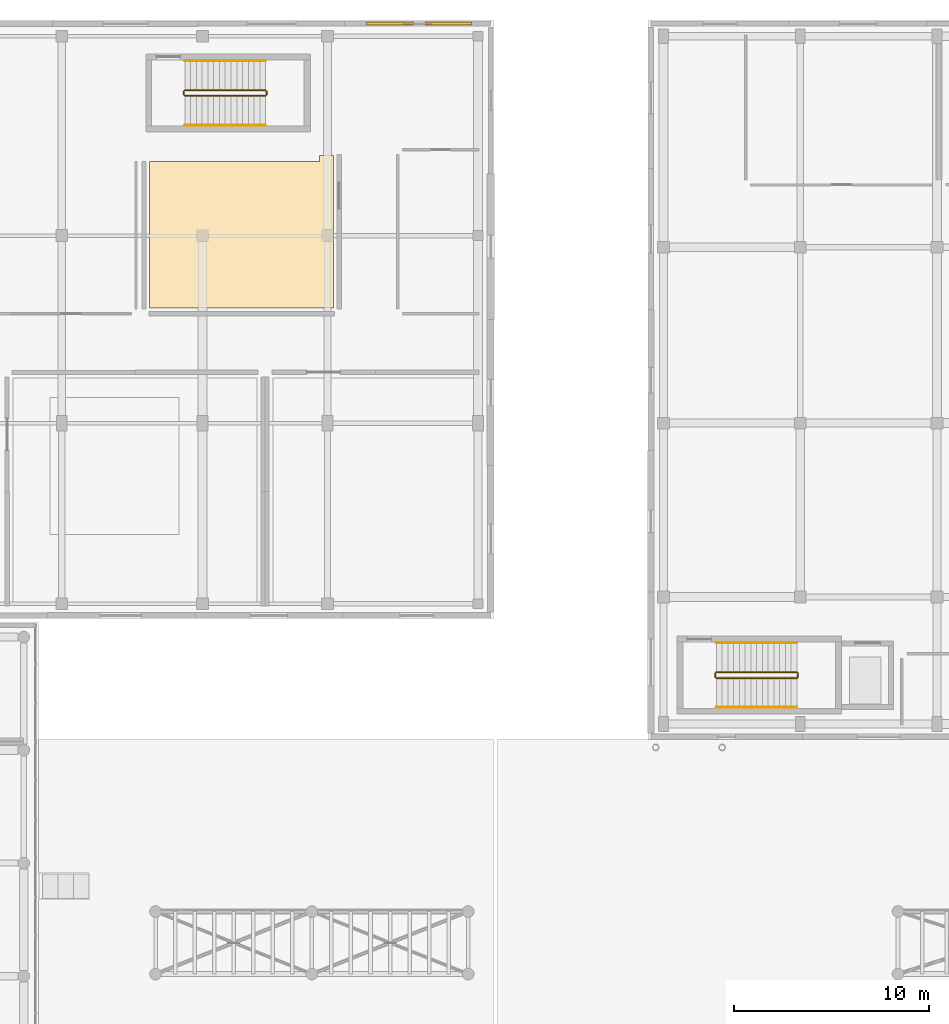
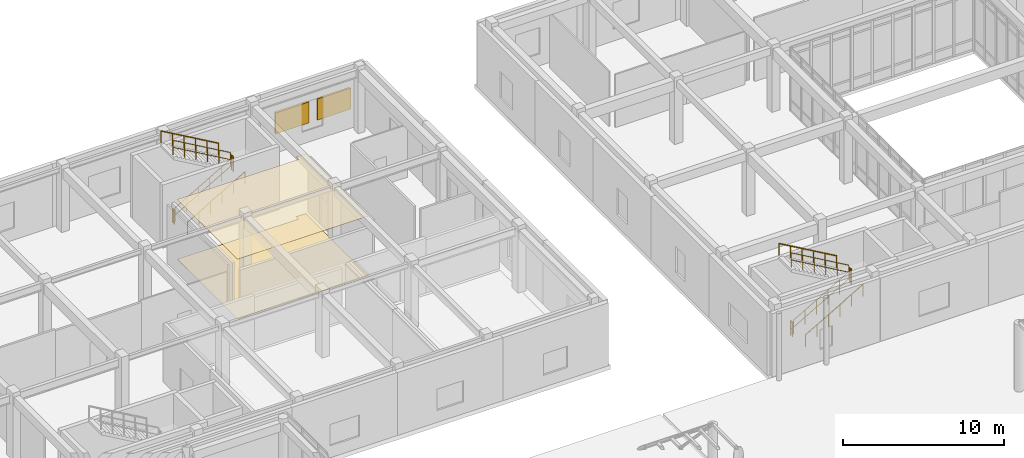
# One storey, part 118 of 121: 12 railings, 2 coverings, 2 shading devices.
"""IFC4 building model written with IfcOpenShell, lengths in metres."""

from ifc_helpers import new_model, si_unit, direction, frame, origin, origin_2d, place, context, subcontext, project, spatial, polyline, rectangle, circle, outline, extrude, material, layer, layer_set, type_object, element, save


model = new_model("IFC4")

# Units and contexts
model_context = context("Model", 3, precision=1e-05, world=origin(), true_north=direction((0.0, 1.0)))
body_context = subcontext(model_context, "Body", "Model", "MODEL_VIEW")
ifc_project = project(units=[si_unit("LENGTHUNIT", "METRE"), si_unit("AREAUNIT", "SQUARE_METRE"), si_unit("VOLUMEUNIT", "CUBIC_METRE"), si_unit("PLANEANGLEUNIT", "RADIAN"), si_unit("MASSUNIT", "GRAM", prefix="KILO")], contexts=[model_context])

# Site, building, storey
site_placement = place(None, origin())
site = spatial("IfcSite", under=ifc_project, at=site_placement, CompositionType="ELEMENT")
building_placement = place(site_placement, origin())
building = spatial("IfcBuilding", under=site, at=building_placement, Name="Valcora Specialist Clinic", CompositionType="ELEMENT")
storey_placement = place(building_placement, origin())
storey = spatial("IfcBuildingStorey", under=building, at=storey_placement, Name="L00", CompositionType="ELEMENT", Elevation=0.0)

# Coverings
ifc_material_1 = material(Name="Acoustic Mineral Ceiling Tile")
ifc_layer_1 = layer(ifc_material_1, 0.02001953125)
ifc_layer_set_1 = layer_set([ifc_layer_1], Name="Acoustic Mineral Ceiling Tile")
covering_type_1 = type_object("IfcCoveringType", Name="TY-CV-CLG020", PredefinedType="CEILING", material=ifc_layer_set_1)
covering_1_placement = place(storey_placement, frame((0.0, 0.0, 4.530029296875)))
element("IfcCovering", 1, at=covering_1_placement, inside=storey, type_object=covering_type_1, Name="Acoustic ceiling tile 4", PredefinedType="CEILING", context=body_context, shape_type="SweptSolid", body=[
    extrude(outline(polyline([(45.10009765625, 103.89990234375), (45.10009765625, 96.10009765625), (35.699951171875, 96.10009765625), (35.699951171875, 103.60009765625), (44.39990234375, 103.60009765625), (44.39990234375, 103.89990234375), (45.10009765625, 103.89990234375)])), origin(), (0.0, 0.0, 1.0), 0.02001953125),
])
ifc_material_2 = material(Name="Antimicrobial Vinyl Clinical Flooring")
ifc_layer_2 = layer(ifc_material_2, 0.008056640625)
ifc_layer_set_2 = layer_set([ifc_layer_2], Name="Antimicrobial Vinyl Clinical Flooring")
covering_type_2 = type_object("IfcCoveringType", Name="TY-CV-FLR008", PredefinedType="FLOORING", material=ifc_layer_set_2)
covering_2_placement = place(storey_placement, origin())
element("IfcCovering", 2, at=covering_2_placement, inside=storey, type_object=covering_type_2, Name="Antimicrobial clinical flooring 4", PredefinedType="FLOORING", context=body_context, shape_type="SweptSolid", body=[
    extrude(outline(polyline([(45.10009765625, 103.89990234375), (45.10009765625, 96.10009765625), (35.699951171875, 96.10009765625), (35.699951171875, 103.60009765625), (44.39990234375, 103.60009765625), (44.39990234375, 103.89990234375), (45.10009765625, 103.89990234375)])), origin(), (0.0, 0.0, 1.0), 0.008056640625),
])

# Railings
ifc_material_3 = material(Name="Stainless Steel AISI 316", Category="steel")
railing_type_1 = type_object("IfcRailingType", Name="TY-RL-GRD112", PredefinedType="GUARDRAIL", material=ifc_material_3)
railing_1_placement = place(storey_placement, frame((37.5, 106.949951171875, 0.169921875)))
element("IfcRailing", 3, at=railing_1_placement, inside=storey, type_object=railing_type_1, Name="L00 ST-V2B stair guard 1", PredefinedType="GUARDRAIL", context=body_context, shape_type="SweptSolid", body=[
    extrude(circle(Radius=0.02392578125, at=origin_2d()), frame((0.0, 0.0, 1.09619140625), z_axis=(0.866412313535, 0.0, 0.499329253053), x_axis=(0.0, 1.0, 0.0)), (0.0, 0.0, 1.0), 4.7666015625),
    extrude(circle(Radius=0.02392578125, at=origin_2d()), frame((0.0, 0.0, 0.56005859375), z_axis=(0.866412313535, 0.0, 0.499329253053), x_axis=(0.0, 1.0, 0.0)), (0.0, 0.0, 1.0), 4.7666015625),
    extrude(circle(Radius=0.02099609375, at=origin_2d()), origin(), (0.0, 0.0, 1.0), 1.072021484375),
    extrude(circle(Radius=0.02099609375, at=origin_2d()), frame((0.825927734375, 0.0, 0.47607421875)), (0.0, 0.0, 1.0), 1.072021484375),
    extrude(circle(Radius=0.02099609375, at=origin_2d()), frame((1.65185546875, 0.0, 0.9521484375)), (0.0, 0.0, 1.0), 1.072021484375),
    extrude(circle(Radius=0.02099609375, at=origin_2d()), frame((2.47802734375, 0.0, 1.427978515625)), (0.0, 0.0, 1.0), 1.072021484375),
    extrude(circle(Radius=0.02099609375, at=origin_2d()), frame((3.303955078125, 0.0, 1.904052734375)), (0.0, 0.0, 1.0), 1.072021484375),
    extrude(circle(Radius=0.02099609375, at=origin_2d()), frame((4.1298828125, 0.0, 2.380126953125)), (0.0, 0.0, 1.0), 1.072021484375),
])
railing_2_placement = place(storey_placement, frame((41.679931640625, 107.0, 2.550048828125)))
element("IfcRailing", 4, at=railing_2_placement, inside=storey, type_object=railing_type_1, Name="L00 ST-V2B stair guard 2", PredefinedType="GUARDRAIL", context=body_context, shape_type="SweptSolid", body=[
    extrude(circle(Radius=0.02392578125, at=origin_2d()), frame((0.0, 0.0, 1.09619140625), z_axis=(0.0, 1.0, 0.0), x_axis=(-1.0, 0.0, 0.0)), (0.0, 0.0, 1.0), 0.199951171875),
    extrude(circle(Radius=0.02392578125, at=origin_2d()), frame((0.0, 0.0, 0.56005859375), z_axis=(0.0, 1.0, 0.0), x_axis=(-1.0, 0.0, 0.0)), (0.0, 0.0, 1.0), 0.199951171875),
    extrude(circle(Radius=0.02099609375, at=origin_2d()), origin(), (0.0, 0.0, 1.0), 1.072021484375),
    extrude(circle(Radius=0.02099609375, at=origin_2d()), frame((0.0, 0.199951171875, 0.0)), (0.0, 0.0, 1.0), 1.072021484375),
])
railing_3_placement = place(storey_placement, frame((41.6298828125, 107.25, 2.719970703125)))
element("IfcRailing", 5, at=railing_3_placement, inside=storey, type_object=railing_type_1, Name="L00 ST-V2B stair guard 3", PredefinedType="GUARDRAIL", context=body_context, shape_type="SweptSolid", body=[
    extrude(circle(Radius=0.02392578125, at=origin_2d()), frame((0.0, 0.0, 1.09619140625), z_axis=(-0.866412313535, 0.0, 0.499329253053), x_axis=(0.0, -1.0, 0.0)), (0.0, 0.0, 1.0), 4.7666015625),
    extrude(circle(Radius=0.02392578125, at=origin_2d()), frame((0.0, 0.0, 0.56005859375), z_axis=(-0.866412313535, 0.0, 0.499329253053), x_axis=(0.0, -1.0, 0.0)), (0.0, 0.0, 1.0), 4.7666015625),
    extrude(circle(Radius=0.02099609375, at=origin_2d()), origin(), (0.0, 0.0, 1.0), 1.072021484375),
    extrude(circle(Radius=0.02099609375, at=origin_2d()), frame((-0.825927734375, 0.0, 0.47607421875)), (0.0, 0.0, 1.0), 1.072021484375),
    extrude(circle(Radius=0.02099609375, at=origin_2d()), frame((-1.65185546875, 0.0, 0.9521484375)), (0.0, 0.0, 1.0), 1.072021484375),
    extrude(circle(Radius=0.02099609375, at=origin_2d()), frame((-2.47802734375, 0.0, 1.427978515625)), (0.0, 0.0, 1.0), 1.072021484375),
    extrude(circle(Radius=0.02099609375, at=origin_2d()), frame((-3.303955078125, 0.0, 1.904052734375)), (0.0, 0.0, 1.0), 1.072021484375),
    extrude(circle(Radius=0.02099609375, at=origin_2d()), frame((-4.1298828125, 0.0, 2.380126953125)), (0.0, 0.0, 1.0), 1.072021484375),
])
railing_4_placement = place(storey_placement, frame((37.449951171875, 107.0, 0.0)))
element("IfcRailing", 6, at=railing_4_placement, inside=storey, type_object=railing_type_1, Name="L00 ST-V2B stair guard 4", PredefinedType="GUARDRAIL", context=body_context, shape_type="SweptSolid", body=[
    extrude(circle(Radius=0.02392578125, at=origin_2d()), frame((0.0, 0.0, 1.09619140625), z_axis=(0.0, 1.0, 0.0), x_axis=(-1.0, 0.0, 0.0)), (0.0, 0.0, 1.0), 0.199951171875),
    extrude(circle(Radius=0.02392578125, at=origin_2d()), frame((0.0, 0.0, 0.56005859375), z_axis=(0.0, 1.0, 0.0), x_axis=(-1.0, 0.0, 0.0)), (0.0, 0.0, 1.0), 0.199951171875),
    extrude(circle(Radius=0.02099609375, at=origin_2d()), origin(), (0.0, 0.0, 1.0), 1.072021484375),
    extrude(circle(Radius=0.02099609375, at=origin_2d()), frame((0.0, 0.199951171875, 0.0)), (0.0, 0.0, 1.0), 1.072021484375),
])
railing_5_placement = place(storey_placement, frame((64.699951171875, 77.14990234375, 0.169921875)))
element("IfcRailing", 7, at=railing_5_placement, inside=storey, type_object=railing_type_1, Name="L00 ST-V4A stair guard 1", PredefinedType="GUARDRAIL", context=body_context, shape_type="SweptSolid", body=[
    extrude(circle(Radius=0.02392578125, at=origin_2d()), frame((0.0, 0.0, 1.09619140625), z_axis=(0.866425082981, 0.0, 0.499307095465), x_axis=(0.0, 1.0, 0.0)), (0.0, 0.0, 1.0), 4.766845703125),
    extrude(circle(Radius=0.02392578125, at=origin_2d()), frame((0.0, 0.0, 0.56005859375), z_axis=(0.866425082981, 0.0, 0.499307095465), x_axis=(0.0, 1.0, 0.0)), (0.0, 0.0, 1.0), 4.766845703125),
    extrude(circle(Radius=0.02099609375, at=origin_2d()), origin(), (0.0, 0.0, 1.0), 1.072021484375),
    extrude(circle(Radius=0.02099609375, at=origin_2d()), frame((0.825927734375, 0.0, 0.47607421875)), (0.0, 0.0, 1.0), 1.072021484375),
    extrude(circle(Radius=0.02099609375, at=origin_2d()), frame((1.652099609375, 0.0, 0.9521484375)), (0.0, 0.0, 1.0), 1.072021484375),
    extrude(circle(Radius=0.02099609375, at=origin_2d()), frame((2.47802734375, 0.0, 1.427978515625)), (0.0, 0.0, 1.0), 1.072021484375),
    extrude(circle(Radius=0.02099609375, at=origin_2d()), frame((3.30419921875, 0.0, 1.904052734375)), (0.0, 0.0, 1.0), 1.072021484375),
    extrude(circle(Radius=0.02099609375, at=origin_2d()), frame((4.130126953125, 0.0, 2.380126953125)), (0.0, 0.0, 1.0), 1.072021484375),
])
railing_6_placement = place(storey_placement, frame((68.8798828125, 77.199951171875, 2.550048828125)))
element("IfcRailing", 8, at=railing_6_placement, inside=storey, type_object=railing_type_1, Name="L00 ST-V4A stair guard 2", PredefinedType="GUARDRAIL", context=body_context, shape_type="SweptSolid", body=[
    extrude(circle(Radius=0.02392578125, at=origin_2d()), frame((0.0, 0.0, 1.09619140625), z_axis=(0.0, 1.0, 0.0), x_axis=(-1.0, 0.0, 0.0)), (0.0, 0.0, 1.0), 0.199951171875),
    extrude(circle(Radius=0.02392578125, at=origin_2d()), frame((0.0, 0.0, 0.56005859375), z_axis=(0.0, 1.0, 0.0), x_axis=(-1.0, 0.0, 0.0)), (0.0, 0.0, 1.0), 0.199951171875),
    extrude(circle(Radius=0.02099609375, at=origin_2d()), origin(), (0.0, 0.0, 1.0), 1.072021484375),
    extrude(circle(Radius=0.02099609375, at=origin_2d()), frame((0.0, 0.199951171875, 0.0)), (0.0, 0.0, 1.0), 1.072021484375),
])
railing_7_placement = place(storey_placement, frame((68.830078125, 77.449951171875, 2.719970703125)))
element("IfcRailing", 9, at=railing_7_placement, inside=storey, type_object=railing_type_1, Name="L00 ST-V4A stair guard 3", PredefinedType="GUARDRAIL", context=body_context, shape_type="SweptSolid", body=[
    extrude(circle(Radius=0.02392578125, at=origin_2d()), frame((0.0, 0.0, 1.09619140625), z_axis=(-0.866425082981, 0.0, 0.499307095465), x_axis=(0.0, -1.0, 0.0)), (0.0, 0.0, 1.0), 4.766845703125),
    extrude(circle(Radius=0.02392578125, at=origin_2d()), frame((0.0, 0.0, 0.56005859375), z_axis=(-0.866425082981, 0.0, 0.499307095465), x_axis=(0.0, -1.0, 0.0)), (0.0, 0.0, 1.0), 4.766845703125),
    extrude(circle(Radius=0.02099609375, at=origin_2d()), origin(), (0.0, 0.0, 1.0), 1.072021484375),
    extrude(circle(Radius=0.02099609375, at=origin_2d()), frame((-0.825927734375, 0.0, 0.47607421875)), (0.0, 0.0, 1.0), 1.072021484375),
    extrude(circle(Radius=0.02099609375, at=origin_2d()), frame((-1.652099609375, 0.0, 0.9521484375)), (0.0, 0.0, 1.0), 1.072021484375),
    extrude(circle(Radius=0.02099609375, at=origin_2d()), frame((-2.47802734375, 0.0, 1.427978515625)), (0.0, 0.0, 1.0), 1.072021484375),
    extrude(circle(Radius=0.02099609375, at=origin_2d()), frame((-3.30419921875, 0.0, 1.904052734375)), (0.0, 0.0, 1.0), 1.072021484375),
    extrude(circle(Radius=0.02099609375, at=origin_2d()), frame((-4.130126953125, 0.0, 2.380126953125)), (0.0, 0.0, 1.0), 1.072021484375),
])
railing_8_placement = place(storey_placement, frame((64.64990234375, 77.199951171875, 0.0)))
element("IfcRailing", 10, at=railing_8_placement, inside=storey, type_object=railing_type_1, Name="L00 ST-V4A stair guard 4", PredefinedType="GUARDRAIL", context=body_context, shape_type="SweptSolid", body=[
    extrude(circle(Radius=0.02392578125, at=origin_2d()), frame((0.0, 0.0, 1.09619140625), z_axis=(0.0, 1.0, 0.0), x_axis=(-1.0, 0.0, 0.0)), (0.0, 0.0, 1.0), 0.199951171875),
    extrude(circle(Radius=0.02392578125, at=origin_2d()), frame((0.0, 0.0, 0.56005859375), z_axis=(0.0, 1.0, 0.0), x_axis=(-1.0, 0.0, 0.0)), (0.0, 0.0, 1.0), 0.199951171875),
    extrude(circle(Radius=0.02099609375, at=origin_2d()), origin(), (0.0, 0.0, 1.0), 1.072021484375),
    extrude(circle(Radius=0.02099609375, at=origin_2d()), frame((0.0, 0.199951171875, 0.0)), (0.0, 0.0, 1.0), 1.072021484375),
])
railing_type_2 = type_object("IfcRailingType", Name="TY-RL-HND092", PredefinedType="HANDRAIL", material=ifc_material_3)
railing_9_placement = place(storey_placement, frame((37.5, 105.449951171875, 0.169921875)))
element("IfcRailing", 11, at=railing_9_placement, inside=storey, type_object=railing_type_2, Name="L00 ST-V2B stair handrail 1", PredefinedType="HANDRAIL", context=body_context, shape_type="SweptSolid", body=[
    extrude(circle(Radius=0.02392578125, at=origin_2d()), frame((0.0, 0.0, 0.89599609375), z_axis=(0.866412313535, 0.0, 0.499329253053), x_axis=(0.0, 1.0, 0.0)), (0.0, 0.0, 1.0), 4.7666015625),
    extrude(circle(Radius=0.02099609375, at=origin_2d()), origin(), (0.0, 0.0, 1.0), 0.871826171875),
    extrude(circle(Radius=0.02099609375, at=origin_2d()), frame((0.825927734375, 0.0, 0.47607421875)), (0.0, 0.0, 1.0), 0.871826171875),
    extrude(circle(Radius=0.02099609375, at=origin_2d()), frame((1.65185546875, 0.0, 0.9521484375)), (0.0, 0.0, 1.0), 0.871826171875),
    extrude(circle(Radius=0.02099609375, at=origin_2d()), frame((2.47802734375, 0.0, 1.427978515625)), (0.0, 0.0, 1.0), 0.871826171875),
    extrude(circle(Radius=0.02099609375, at=origin_2d()), frame((3.303955078125, 0.0, 1.904052734375)), (0.0, 0.0, 1.0), 0.871826171875),
    extrude(circle(Radius=0.02099609375, at=origin_2d()), frame((4.1298828125, 0.0, 2.380126953125)), (0.0, 0.0, 1.0), 0.871826171875),
])
railing_10_placement = place(storey_placement, frame((41.6298828125, 108.75, 2.719970703125)))
element("IfcRailing", 12, at=railing_10_placement, inside=storey, type_object=railing_type_2, Name="L00 ST-V2B stair handrail 2", PredefinedType="HANDRAIL", context=body_context, shape_type="SweptSolid", body=[
    extrude(circle(Radius=0.02392578125, at=origin_2d()), frame((0.0, 0.0, 0.89599609375), z_axis=(-0.866412313535, 0.0, 0.499329253053), x_axis=(0.0, -1.0, 0.0)), (0.0, 0.0, 1.0), 4.7666015625),
    extrude(circle(Radius=0.02099609375, at=origin_2d()), origin(), (0.0, 0.0, 1.0), 0.871826171875),
    extrude(circle(Radius=0.02099609375, at=origin_2d()), frame((-0.825927734375, 0.0, 0.47607421875)), (0.0, 0.0, 1.0), 0.871826171875),
    extrude(circle(Radius=0.02099609375, at=origin_2d()), frame((-1.65185546875, 0.0, 0.9521484375)), (0.0, 0.0, 1.0), 0.871826171875),
    extrude(circle(Radius=0.02099609375, at=origin_2d()), frame((-2.47802734375, 0.0, 1.427978515625)), (0.0, 0.0, 1.0), 0.871826171875),
    extrude(circle(Radius=0.02099609375, at=origin_2d()), frame((-3.303955078125, 0.0, 1.904052734375)), (0.0, 0.0, 1.0), 0.871826171875),
    extrude(circle(Radius=0.02099609375, at=origin_2d()), frame((-4.1298828125, 0.0, 2.380126953125)), (0.0, 0.0, 1.0), 0.871826171875),
])
railing_11_placement = place(storey_placement, frame((64.699951171875, 75.64990234375, 0.169921875)))
element("IfcRailing", 13, at=railing_11_placement, inside=storey, type_object=railing_type_2, Name="L00 ST-V4A stair handrail 1", PredefinedType="HANDRAIL", context=body_context, shape_type="SweptSolid", body=[
    extrude(circle(Radius=0.02392578125, at=origin_2d()), frame((0.0, 0.0, 0.89599609375), z_axis=(0.866425082981, 0.0, 0.499307095465), x_axis=(0.0, 1.0, 0.0)), (0.0, 0.0, 1.0), 4.766845703125),
    extrude(circle(Radius=0.02099609375, at=origin_2d()), origin(), (0.0, 0.0, 1.0), 0.871826171875),
    extrude(circle(Radius=0.02099609375, at=origin_2d()), frame((0.825927734375, 0.0, 0.47607421875)), (0.0, 0.0, 1.0), 0.871826171875),
    extrude(circle(Radius=0.02099609375, at=origin_2d()), frame((1.652099609375, 0.0, 0.9521484375)), (0.0, 0.0, 1.0), 0.871826171875),
    extrude(circle(Radius=0.02099609375, at=origin_2d()), frame((2.47802734375, 0.0, 1.427978515625)), (0.0, 0.0, 1.0), 0.871826171875),
    extrude(circle(Radius=0.02099609375, at=origin_2d()), frame((3.30419921875, 0.0, 1.904052734375)), (0.0, 0.0, 1.0), 0.871826171875),
    extrude(circle(Radius=0.02099609375, at=origin_2d()), frame((4.130126953125, 0.0, 2.380126953125)), (0.0, 0.0, 1.0), 0.871826171875),
])
railing_12_placement = place(storey_placement, frame((68.830078125, 78.949951171875, 2.719970703125)))
element("IfcRailing", 14, at=railing_12_placement, inside=storey, type_object=railing_type_2, Name="L00 ST-V4A stair handrail 2", PredefinedType="HANDRAIL", context=body_context, shape_type="SweptSolid", body=[
    extrude(circle(Radius=0.02392578125, at=origin_2d()), frame((0.0, 0.0, 0.89599609375), z_axis=(-0.866425082981, 0.0, 0.499307095465), x_axis=(0.0, -1.0, 0.0)), (0.0, 0.0, 1.0), 4.766845703125),
    extrude(circle(Radius=0.02099609375, at=origin_2d()), origin(), (0.0, 0.0, 1.0), 0.871826171875),
    extrude(circle(Radius=0.02099609375, at=origin_2d()), frame((-0.825927734375, 0.0, 0.47607421875)), (0.0, 0.0, 1.0), 0.871826171875),
    extrude(circle(Radius=0.02099609375, at=origin_2d()), frame((-1.652099609375, 0.0, 0.9521484375)), (0.0, 0.0, 1.0), 0.871826171875),
    extrude(circle(Radius=0.02099609375, at=origin_2d()), frame((-2.47802734375, 0.0, 1.427978515625)), (0.0, 0.0, 1.0), 0.871826171875),
    extrude(circle(Radius=0.02099609375, at=origin_2d()), frame((-3.30419921875, 0.0, 1.904052734375)), (0.0, 0.0, 1.0), 0.871826171875),
    extrude(circle(Radius=0.02099609375, at=origin_2d()), frame((-4.130126953125, 0.0, 2.380126953125)), (0.0, 0.0, 1.0), 0.871826171875),
])

# Shading devices
ifc_material_4 = material(Name="Anodized Bronze Aluminium 6063-T6", Category="aluminium")
ifc_layer_3 = layer(ifc_material_4, 0.14990234375)
ifc_layer_set_3 = layer_set([ifc_layer_3], Name="Anodized Bronze Aluminium 6063-T6")
shading_device_type = type_object("IfcShadingDeviceType", Name="TY-SD-LVR240", PredefinedType="JALOUSIE", material=ifc_layer_set_3)
for number, where, z_axis, x_axis, name in (
    (15, (48.0, 110.64990234375, 1.39990234375), (0.0, 0.0, 1.0), (1.0, 0.0, 0.0), "Acoustic plant louvre 40"),
    (16, (51.0, 110.64990234375, 1.39990234375), (0.0, 0.0, 1.0), (1.0, 0.0, 0.0), "Acoustic plant louvre 41"),
):
    element("IfcShadingDevice", number, at=place(storey_placement, frame(where, z_axis=z_axis, x_axis=x_axis)), inside=storey, type_object=shading_device_type, Name=name, PredefinedType="JALOUSIE", context=body_context, shape_type="SweptSolid", body=[
        extrude(rectangle(XDim=2.39990234375, YDim=0.14990234375, at=origin_2d()), origin(), (0.0, 0.0, 1.0), 1.60009765625),
    ])

save(model, "model.ifc")
